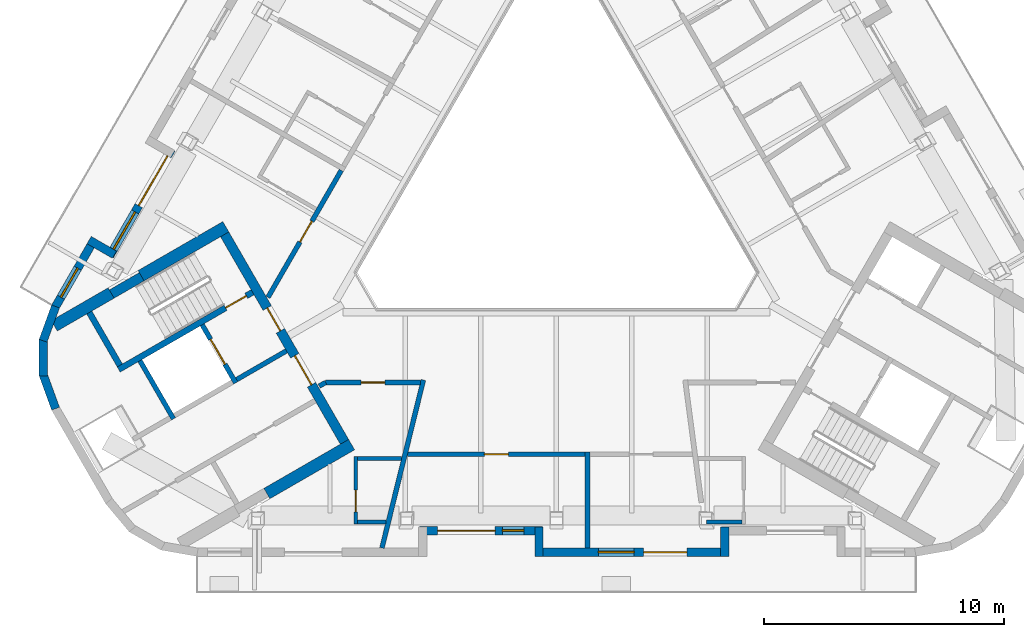
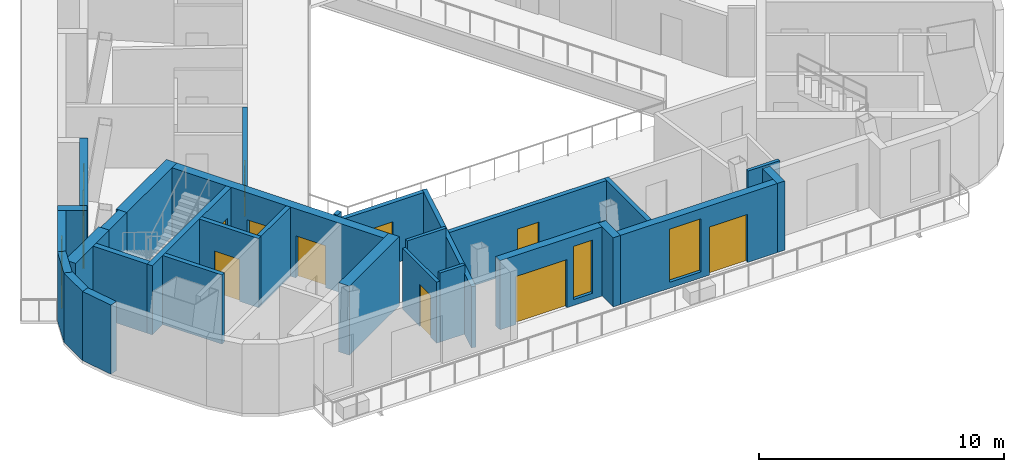
# One storey, part 3 of 11: 30 walls, 11 doors, 4 windows, 15 openings.
"""IFC4 building model written with IfcOpenShell, lengths in metres."""

from ifc_helpers import new_model, si_unit, direction, frame, frame_2d, origin, place, context, subcontext, project, spatial, rectangle, extrude, material, layer, layer_set, type_object, element, fill, save


model = new_model("IFC4")

# Units and contexts
model_context = context("Model", 3, precision=1e-05, world=origin(), true_north=direction((0.0, 1.0)))
body_context = subcontext(model_context, "Body", "Model", "MODEL_VIEW")
ifc_project = project(units=[si_unit("LENGTHUNIT", "METRE"), si_unit("AREAUNIT", "SQUARE_METRE"), si_unit("VOLUMEUNIT", "CUBIC_METRE"), si_unit("PLANEANGLEUNIT", "RADIAN"), si_unit("MASSUNIT", "GRAM", prefix="KILO")], contexts=[model_context])

# Site, building, storey
site_placement = place(None, origin())
site = spatial("IfcSite", under=ifc_project, at=site_placement, CompositionType="ELEMENT")
building_placement = place(site_placement, origin())
building = spatial("IfcBuilding", under=site, at=building_placement, Name="Apuvela Tower Hotel", CompositionType="ELEMENT")
storey_placement = place(building_placement, frame((0.0, 0.0, 328.10009765625)))
storey = spatial("IfcBuildingStorey", under=building, at=storey_placement, Name="L82", CompositionType="ELEMENT", Elevation=328.10009765625)

# Wall
ifc_material_1 = material(Name="Concrete C50/60", Category="concrete")
ifc_layer_1 = layer(ifc_material_1, 0.39990234375)
ifc_layer_set_1 = layer_set([ifc_layer_1], Name="COR-WALL-CORE-400")
wall_type_1 = type_object("IfcWallType", Name="COR-WALL-CORE-400", PredefinedType="SHEAR", material=ifc_layer_set_1)
wall_1_placement = place(storey_placement, frame((-17.30908203125, -3.989013671875, 0.0), z_axis=(0.0, 0.0, 1.0), x_axis=(-0.866092727722, -0.499883373386, 0.0)))
element("IfcWall", 1, at=wall_1_placement, inside=storey, type_object=wall_type_1, Name="Core wall SW", PredefinedType="SHEAR", context=body_context, shape_type="SweptSolid", body=[
    extrude(rectangle(XDim=1.444580078125, YDim=0.39990234375, at=frame_2d((0.72216796875, 0.0))), origin(), (0.0, 0.0, 1.0), 3.449951171875),
])

# Wall, openings, doors
wall_2_placement = place(storey_placement, frame((-13.844970703125, -2.219970703125, 0.0), z_axis=(0.0, 0.0, 1.0), x_axis=(0.500004234368, -0.866022959057, 0.0)))
wall_2 = element("IfcWall", 2, at=wall_2_placement, inside=storey, type_object=wall_type_1, Name="Core wall SW", PredefinedType="SHEAR", context=body_context, shape_type="SweptSolid", body=[
    extrude(rectangle(XDim=10.0, YDim=0.39990234375, at=frame_2d((5.0, 0.0))), origin(), (0.0, 0.0, 1.0), 3.449951171875),
])
opening_1_placement = place(wall_2_placement, frame((3.550048828125, 0.0, 0.0)))
opening_1 = element("IfcOpeningElement", 3, at=opening_1_placement, cuts=wall_2, Name="Opening W-FD", PredefinedType="OPENING", context=body_context, shape_type="SweptSolid", body=[
    extrude(rectangle(XDim=1.10009765625, YDim=2.10009765625, at=frame_2d((0.550048828125, 1.050048828125))), frame((0.0, 0.2099609375, 0.0), z_axis=(0.0, -1.0, 0.0), x_axis=(1.0, 0.0, 0.0)), (0.0, 0.0, 1.0), 0.419921875),
])
opening_2_placement = place(wall_2_placement, frame((5.85009765625, 0.0, 0.0)))
opening_2 = element("IfcOpeningElement", 4, at=opening_2_placement, cuts=wall_2, Name="Opening W-GD", PredefinedType="OPENING", context=body_context, shape_type="SweptSolid", body=[
    extrude(rectangle(XDim=1.39990234375, YDim=2.10009765625, at=frame_2d((0.699951171875, 1.050048828125))), frame((0.0, 0.2099609375, 0.0), z_axis=(0.0, -1.0, 0.0), x_axis=(1.0, 0.0, 0.0)), (0.0, 0.0, 1.0), 0.419921875),
])
ifc_material_2 = material(Name="Steel fire door, powder coated", Category="steel")
door_type_1 = type_object("IfcDoorType", Name="COR-FD-1100", OperationType="NOTDEFINED", PredefinedType="DOOR", material=ifc_material_2)
door_1_placement = place(opening_1_placement, frame((1.10009765625, 0.0, 0.0), z_axis=(0.0, 0.0, 1.0), x_axis=(-1.0, 0.0, 0.0)))
door_1 = element("IfcDoor", 5, at=door_1_placement, inside=storey, type_object=door_type_1, Name="Firefighting lobby door W-FD", OperationType="SINGLE_SWING_LEFT", OverallHeight=2.10009765625, OverallWidth=1.10009765625, PredefinedType="DOOR", context=body_context, shape_type="SweptSolid", body=[
    extrude(rectangle(XDim=1.10009765625, YDim=2.10009765625, at=frame_2d((0.550048828125, 1.050048828125))), frame((0.0, 0.02490234375, 0.0), z_axis=(0.0, -1.0, 0.0), x_axis=(1.0, 0.0, 0.0)), (0.0, 0.0, 1.0), 0.050048828125),
])
fill(opening_1, door_1)
ifc_material_3 = material(Name="Glazed steel fire door", Category="steel")
door_type_2 = type_object("IfcDoorType", Name="COR-GD-1400", OperationType="DOUBLE_DOOR_SINGLE_SWING", PredefinedType="DOOR", material=ifc_material_3)
door_2_placement = place(opening_2_placement, frame((1.39990234375, 0.0, 0.0), z_axis=(0.0, 0.0, 1.0), x_axis=(-1.0, 0.0, 0.0)))
door_2 = element("IfcDoor", 6, at=door_2_placement, inside=storey, type_object=door_type_2, Name="Lift lobby door W-GD", OperationType="DOUBLE_DOOR_SINGLE_SWING", OverallHeight=2.10009765625, OverallWidth=1.39990234375, PredefinedType="DOOR", context=body_context, shape_type="SweptSolid", body=[
    extrude(rectangle(XDim=1.39990234375, YDim=2.10009765625, at=frame_2d((0.699951171875, 1.050048828125))), frame((0.0, 0.02490234375, 0.0), z_axis=(0.0, -1.0, 0.0), x_axis=(1.0, 0.0, 0.0)), (0.0, 0.0, 1.0), 0.050048828125),
])
fill(opening_2, door_2)

# Walls
ifc_layer_2 = layer(ifc_material_1, 0.5)
ifc_layer_set_2 = layer_set([ifc_layer_2], Name="COR-WALL-CORE-500")
wall_type_2 = type_object("IfcWallType", Name="COR-WALL-CORE-500", PredefinedType="SHEAR", material=ifc_layer_set_2)
wall_3_placement = place(storey_placement, frame((-13.796630859375, -1.9033203125, 0.0), z_axis=(0.0, 0.0, 1.0), x_axis=(-0.866020367552, -0.500008722908, 0.0)))
element("IfcWall", 7, at=wall_3_placement, inside=storey, type_object=wall_type_2, Name="Core wall SW", PredefinedType="SHEAR", context=body_context, shape_type="SweptSolid", body=[
    extrude(rectangle(XDim=4.0849609375, YDim=0.5, at=frame_2d((2.04248046875, 0.0))), origin(), (0.0, 0.0, 1.0), 3.449951171875),
])
wall_4_placement = place(storey_placement, frame((-18.585205078125, -4.66796875, 0.0), z_axis=(0.0, 0.0, 1.0), x_axis=(-0.866034122891, -0.49998489776, 0.0)))
element("IfcWall", 8, at=wall_4_placement, inside=storey, type_object=wall_type_2, Name="Core wall SW", PredefinedType="SHEAR", context=body_context, shape_type="SweptSolid", body=[
    extrude(rectangle(XDim=2.73779296875, YDim=0.5, at=frame_2d((1.368896484375, 0.0))), origin(), (0.0, 0.0, 1.0), 3.449951171875),
])
wall_5_placement = place(storey_placement, frame((-8.546630859375, -10.99658203125, 0.0), z_axis=(0.0, 0.0, 1.0), x_axis=(-0.866031306094, -0.49998977676, 0.0)))
element("IfcWall", 9, at=wall_5_placement, inside=storey, type_object=wall_type_2, Name="Core wall SW", PredefinedType="SHEAR", context=body_context, shape_type="SweptSolid", body=[
    extrude(rectangle(XDim=4.08447265625, YDim=0.5, at=frame_2d((2.042236328125, 0.0))), origin(), (0.0, 0.0, 1.0), 3.449951171875),
])
ifc_layer_3 = layer(ifc_material_1, 0.199951171875)
ifc_layer_set_3 = layer_set([ifc_layer_3], Name="COR-WALL-SHAFT-200")
wall_type_3 = type_object("IfcWallType", Name="COR-WALL-SHAFT-200", PredefinedType="SHEAR", material=ifc_layer_set_3)
wall_6_placement = place(storey_placement, frame((-17.38134765625, -7.49462890625, 0.0), z_axis=(0.0, 0.0, 1.0), x_axis=(0.500011755427, -0.866018616679, 0.0)))
element("IfcWall", 10, at=wall_6_placement, inside=storey, type_object=wall_type_3, Name="Shaft wall SW", PredefinedType="SHEAR", context=body_context, shape_type="SweptSolid", body=[
    extrude(rectangle(XDim=2.80029296875, YDim=0.199951171875, at=frame_2d((1.400146484375, 0.0))), origin(), (0.0, 0.0, 1.0), 3.449951171875),
])

# Wall, opening, door
wall_7_placement = place(storey_placement, frame((-14.783203125, -5.99462890625, 0.0), z_axis=(0.0, 0.0, 1.0), x_axis=(0.49994636267, -0.866056369097, 0.0)))
wall_7 = element("IfcWall", 11, at=wall_7_placement, inside=storey, type_object=wall_type_3, Name="Shaft wall SW", PredefinedType="SHEAR", context=body_context, shape_type="SweptSolid", body=[
    extrude(rectangle(XDim=2.800048828125, YDim=0.199951171875, at=frame_2d((1.39990234375, 0.0))), origin(), (0.0, 0.0, 1.0), 3.449951171875),
])
opening_3_placement = place(wall_7_placement, frame((0.699951171875, 0.0, 0.0)))
opening_3 = element("IfcOpeningElement", 12, at=opening_3_placement, cuts=wall_7, Name="Opening W-LD-FS2", PredefinedType="OPENING", context=body_context, shape_type="SweptSolid", body=[
    extrude(rectangle(XDim=1.199951171875, YDim=2.10009765625, at=frame_2d((0.60009765625, 1.050048828125))), frame((0.0, 0.10986328125, 0.0), z_axis=(0.0, -1.0, 0.0), x_axis=(1.0, 0.0, 0.0)), (0.0, 0.0, 1.0), 0.219970703125),
])
ifc_material_4 = material(Name="Stainless steel lift landing door", Category="steel")
door_type_3 = type_object("IfcDoorType", Name="COR-LD-1200", OperationType="DOUBLE_DOOR_SLIDING", PredefinedType="DOOR", material=ifc_material_4)
door_3_placement = place(opening_3_placement, origin())
door_3 = element("IfcDoor", 13, at=door_3_placement, inside=storey, type_object=door_type_3, Name="Lift landing door W-LD-FS2", OperationType="DOUBLE_DOOR_SLIDING", OverallHeight=2.10009765625, OverallWidth=1.199951171875, PredefinedType="DOOR", context=body_context, shape_type="SweptSolid", body=[
    extrude(rectangle(XDim=1.199951171875, YDim=2.10009765625, at=frame_2d((0.60009765625, 1.050048828125))), frame((0.0, 0.02490234375, 0.0), z_axis=(0.0, -1.0, 0.0), x_axis=(1.0, 0.0, 0.0)), (0.0, 0.0, 1.0), 0.050048828125),
])
fill(opening_3, door_3)

# Wall
wall_8_placement = place(storey_placement, frame((-11.26806640625, -7.0830078125, 0.0), z_axis=(0.0, 0.0, 1.0), x_axis=(-0.866050077142, -0.499957262057, 0.0)))
element("IfcWall", 14, at=wall_8_placement, inside=storey, type_object=wall_type_3, Name="Shaft wall SW", PredefinedType="SHEAR", context=body_context, shape_type="SweptSolid", body=[
    extrude(rectangle(XDim=2.400146484375, YDim=0.199951171875, at=frame_2d((1.2001953125, 0.0))), origin(), (0.0, 0.0, 1.0), 3.449951171875),
])

# Wall, opening, door
ifc_layer_4 = layer(ifc_material_1, 0.25)
ifc_layer_set_4 = layer_set([ifc_layer_4], Name="COR-WALL-STAIR-250")
wall_type_4 = type_object("IfcWallType", Name="COR-WALL-STAIR-250", PredefinedType="SHEAR", material=ifc_layer_set_4)
wall_9_placement = place(storey_placement, frame((-12.6806640625, -4.636474609375, 0.0), z_axis=(0.0, 0.0, 1.0), x_axis=(-0.866021702275, -0.500006411147, 0.0)))
wall_9 = element("IfcWall", 15, at=wall_9_placement, inside=storey, type_object=wall_type_4, Name="Stair wall SW", PredefinedType="SHEAR", context=body_context, shape_type="SweptSolid", body=[
    extrude(rectangle(XDim=6.4501953125, YDim=0.25, at=frame_2d((3.22509765625, 0.0))), origin(), (0.0, 0.0, 1.0), 3.449951171875),
])
opening_4_placement = place(wall_9_placement, frame((0.300048828125, 0.0, 0.0)))
opening_4 = element("IfcOpeningElement", 16, at=opening_4_placement, cuts=wall_9, Name="Opening W-SD", PredefinedType="OPENING", context=body_context, shape_type="SweptSolid", body=[
    extrude(rectangle(XDim=1.0, YDim=2.10009765625, at=frame_2d((0.5, 1.050048828125))), frame((0.0, 0.135009765625, 0.0), z_axis=(0.0, -1.0, 0.0), x_axis=(1.0, 0.0, 0.0)), (0.0, 0.0, 1.0), 0.27001953125),
])
door_type_4 = type_object("IfcDoorType", Name="COR-SD-1000", OperationType="NOTDEFINED", PredefinedType="DOOR", material=ifc_material_2)
door_4_placement = place(opening_4_placement, frame((1.0, 0.0, 0.0), z_axis=(0.0, 0.0, 1.0), x_axis=(-1.0, 0.0, 0.0)))
door_4 = element("IfcDoor", 17, at=door_4_placement, inside=storey, type_object=door_type_4, Name="Stair door W-SD", OperationType="SINGLE_SWING_LEFT", OverallHeight=2.10009765625, OverallWidth=1.0, PredefinedType="DOOR", context=body_context, shape_type="SweptSolid", body=[
    extrude(rectangle(XDim=1.0, YDim=2.10009765625, at=frame_2d((0.5, 1.050048828125))), frame((0.0, 0.02490234375, 0.0), z_axis=(0.0, -1.0, 0.0), x_axis=(1.0, 0.0, 0.0)), (0.0, 0.0, 1.0), 0.050048828125),
])
fill(opening_4, door_4)

# Wall
wall_10_placement = place(storey_placement, frame((-19.49560546875, -5.482421875, 0.0), z_axis=(0.0, 0.0, 1.0), x_axis=(0.499990435942, -0.866030925526, 0.0)))
element("IfcWall", 18, at=wall_10_placement, inside=storey, type_object=wall_type_4, Name="Stair wall SW", PredefinedType="SHEAR", context=body_context, shape_type="SweptSolid", body=[
    extrude(rectangle(XDim=2.5498046875, YDim=0.25, at=frame_2d((1.27490234375, 0.0))), origin(), (0.0, 0.0, 1.0), 3.449951171875),
])

# Wall, openings, door, window
ifc_material_5 = material(Name="Concrete C40/50, dark pigmented precast panel", Category="concrete")
ifc_layer_5 = layer(ifc_material_5, 0.35009765625)
ifc_layer_set_5 = layer_set([ifc_layer_5], Name="ENV-WALL-350")
wall_type_5 = type_object("IfcWallType", Name="ENV-WALL-350", PredefinedType="SOLIDWALL", material=ifc_layer_set_5)
wall_11_placement = place(storey_placement, frame((-16.072509765625, 1.33251953125, 0.0), z_axis=(0.0, 0.0, 1.0), x_axis=(-0.499999159329, -0.866025889145, 0.0)))
wall_11 = element("IfcWall", 19, at=wall_11_placement, inside=storey, type_object=wall_type_5, Name="External wall L82-07", PredefinedType="SOLIDWALL", context=body_context, shape_type="SweptSolid", body=[
    extrude(rectangle(XDim=5.142578125, YDim=0.35009765625, at=frame_2d((2.5712890625, 0.0))), origin(), (0.0, 0.0, 1.0), 3.449951171875),
])
opening_5_placement = place(wall_11_placement, frame((0.3203125, 0.0, 0.0)))
opening_5 = element("IfcOpeningElement", 20, at=opening_5_placement, cuts=wall_11, Name="Opening BD24", PredefinedType="OPENING", context=body_context, shape_type="SweptSolid", body=[
    extrude(rectangle(XDim=2.39990234375, YDim=2.39990234375, at=frame_2d((1.199951171875, 1.199951171875))), frame((0.0, 0.18505859375, 0.0), z_axis=(0.0, -1.0, 0.0), x_axis=(1.0, 0.0, 0.0)), (0.0, 0.0, 1.0), 0.3701171875),
])
opening_6_placement = place(wall_11_placement, frame((3.020263671875, 0.0, 0.300048828125)))
opening_6 = element("IfcOpeningElement", 21, at=opening_6_placement, cuts=wall_11, Name="Opening WN18", PredefinedType="OPENING", context=body_context, shape_type="SweptSolid", body=[
    extrude(rectangle(XDim=1.800048828125, YDim=2.64990234375, at=frame_2d((0.89990234375, 1.324951171875))), frame((0.0, 0.18505859375, 0.0), z_axis=(0.0, -1.0, 0.0), x_axis=(1.0, 0.0, 0.0)), (0.0, 0.0, 1.0), 0.3701171875),
])
ifc_material_6 = material(Name="Aluminium 6063-T6, dark bronze anodised frame with dark tinted laminated glass", Category="aluminium")
door_type_5 = type_object("IfcDoorType", Name="ENV-DOOR-BALCONY-2400x2400", OperationType="SLIDING_TO_LEFT", PredefinedType="DOOR", material=ifc_material_6)
door_5_placement = place(opening_5_placement, frame((2.39990234375, 0.0, 0.0), z_axis=(0.0, 0.0, 1.0), x_axis=(-1.0, 0.0, 0.0)))
door_5 = element("IfcDoor", 22, at=door_5_placement, inside=storey, type_object=door_type_5, Name="Balcony door BD24", OperationType="SLIDING_TO_LEFT", OverallHeight=2.39990234375, OverallWidth=2.39990234375, PredefinedType="DOOR", context=body_context, shape_type="SweptSolid", body=[
    extrude(rectangle(XDim=2.39990234375, YDim=2.39990234375, at=frame_2d((1.199951171875, 1.199951171875))), frame((0.0, 0.02490234375, 0.0), z_axis=(0.0, -1.0, 0.0), x_axis=(1.0, 0.0, 0.0)), (0.0, 0.0, 1.0), 0.050048828125),
])
fill(opening_5, door_5)
ifc_material_7 = material(Name="Glass, dark tinted laminated insulated glazing unit", Category="glass")
window_type_1 = type_object("IfcWindowType", Name="ENV-WIN-1800x2650", PartitioningType="SINGLE_PANEL", PredefinedType="WINDOW", material=ifc_material_7)
window_1_placement = place(opening_6_placement, origin())
window_1 = element("IfcWindow", 23, at=window_1_placement, inside=storey, type_object=window_type_1, Name="Window WN18", OverallHeight=2.64990234375, OverallWidth=1.800048828125, PartitioningType="SINGLE_PANEL", PredefinedType="WINDOW", context=body_context, shape_type="SweptSolid", body=[
    extrude(rectangle(XDim=1.800048828125, YDim=2.64990234375, at=frame_2d((0.89990234375, 1.324951171875))), frame((0.0, 0.030029296875, 0.0), z_axis=(0.0, -1.0, 0.0), x_axis=(1.0, 0.0, 0.0)), (0.0, 0.0, 1.0), 0.06005859375),
])
fill(opening_6, window_1)

# Wall
wall_12_placement = place(storey_placement, frame((-18.445556640625, -3.068115234375, 0.0), z_axis=(0.0, 0.0, 1.0), x_axis=(-0.866005645448, 0.500034220881, 0.0)))
element("IfcWall", 24, at=wall_12_placement, inside=storey, type_object=wall_type_5, Name="External wall L82-08", PredefinedType="SOLIDWALL", context=body_context, shape_type="SweptSolid", body=[
    extrude(rectangle(XDim=1.22021484375, YDim=0.35009765625, at=frame_2d((0.610107421875, 0.0))), origin(), (0.0, 0.0, 1.0), 3.449951171875),
])

# Wall, opening, window
wall_13_placement = place(storey_placement, frame((-19.26318359375, -2.39404296875, 0.0), z_axis=(0.0, 0.0, 1.0), x_axis=(-0.500022895934, -0.866012184407, 0.0)))
wall_13 = element("IfcWall", 25, at=wall_13_placement, inside=storey, type_object=wall_type_5, Name="External wall L82-09", PredefinedType="SOLIDWALL", context=body_context, shape_type="SweptSolid", body=[
    extrude(rectangle(XDim=3.305908203125, YDim=0.35009765625, at=frame_2d((1.65283203125, 0.0))), origin(), (0.0, 0.0, 1.0), 3.449951171875),
])
opening_7_placement = place(wall_13_placement, frame((1.429931640625, 0.0, 0.300048828125)))
opening_7 = element("IfcOpeningElement", 26, at=opening_7_placement, cuts=wall_13, Name="Opening WN14", PredefinedType="OPENING", context=body_context, shape_type="SweptSolid", body=[
    extrude(rectangle(XDim=1.39990234375, YDim=2.64990234375, at=frame_2d((0.699951171875, 1.324951171875))), frame((0.0, 0.18505859375, 0.0), z_axis=(0.0, -1.0, 0.0), x_axis=(1.0, 0.0, 0.0)), (0.0, 0.0, 1.0), 0.3701171875),
])
window_type_2 = type_object("IfcWindowType", Name="ENV-WIN-1400x2650", PartitioningType="SINGLE_PANEL", PredefinedType="WINDOW", material=ifc_material_7)
window_2_placement = place(opening_7_placement, origin())
window_2 = element("IfcWindow", 27, at=window_2_placement, inside=storey, type_object=window_type_2, Name="Window WN14", OverallHeight=2.64990234375, OverallWidth=1.39990234375, PartitioningType="SINGLE_PANEL", PredefinedType="WINDOW", context=body_context, shape_type="SweptSolid", body=[
    extrude(rectangle(XDim=1.39990234375, YDim=2.64990234375, at=frame_2d((0.699951171875, 1.324951171875))), frame((0.0, 0.030029296875, 0.0), z_axis=(0.0, -1.0, 0.0), x_axis=(1.0, 0.0, 0.0)), (0.0, 0.0, 1.0), 0.06005859375),
])
fill(opening_7, window_2)

# Walls
for number, where, z_axis, x_axis, name in (
    (28, (-20.9033203125, -5.2294921875, 0.0), (0.0, 0.0, 1.0), (-0.342013156287, -0.939695163831, 0.0), "External wall L82-10"),
    (29, (-21.413818359375, -6.6015625, 0.0), (0.0, 0.0, 1.0), (0.0, -1.0, 0.0), "External wall L82-11"),
    (30, (-21.424560546875, -8.0654296875, 0.0), (0.0, 0.0, 1.0), (0.342013156287, -0.939695163831, 0.0), "External wall L82-12"),
):
    element("IfcWall", number, at=place(storey_placement, frame(where, z_axis=z_axis, x_axis=x_axis)), inside=storey, type_object=wall_type_5, Name=name, PredefinedType="SOLIDWALL", context=body_context, shape_type="SweptSolid", body=[
        extrude(rectangle(XDim=1.52392578125, YDim=0.35009765625, at=frame_2d((0.761962890625, 0.0))), origin(), (0.0, 0.0, 1.0), 3.449951171875),
    ])

# Wall, openings, door, window
wall_14_placement = place(storey_placement, frame((-5.722412109375, -14.58544921875, 0.0), z_axis=(0.0, 0.0, 1.0), x_axis=(1.0, 0.0, 0.0)))
wall_14 = element("IfcWall", 31, at=wall_14_placement, inside=storey, type_object=wall_type_5, Name="External wall L82-19", PredefinedType="SOLIDWALL", context=body_context, shape_type="SweptSolid", body=[
    extrude(rectangle(XDim=5.142333984375, YDim=0.35009765625, at=frame_2d((2.5712890625, 0.0))), origin(), (0.0, 0.0, 1.0), 3.449951171875),
])
opening_8_placement = place(wall_14_placement, frame((0.77001953125, 0.0, 0.0)))
opening_8 = element("IfcOpeningElement", 32, at=opening_8_placement, cuts=wall_14, Name="Opening BD24", PredefinedType="OPENING", context=body_context, shape_type="SweptSolid", body=[
    extrude(rectangle(XDim=2.39990234375, YDim=2.39990234375, at=frame_2d((1.199951171875, 1.199951171875))), frame((0.0, 0.18505859375, 0.0), z_axis=(0.0, -1.0, 0.0), x_axis=(1.0, 0.0, 0.0)), (0.0, 0.0, 1.0), 0.3701171875),
])
opening_9_placement = place(wall_14_placement, frame((3.469970703125, 0.0, 0.300048828125)))
opening_9 = element("IfcOpeningElement", 33, at=opening_9_placement, cuts=wall_14, Name="Opening WN09", PredefinedType="OPENING", context=body_context, shape_type="SweptSolid", body=[
    extrude(rectangle(XDim=0.89990234375, YDim=2.64990234375, at=frame_2d((0.449951171875, 1.324951171875))), frame((0.0, 0.18505859375, 0.0), z_axis=(0.0, -1.0, 0.0), x_axis=(1.0, 0.0, 0.0)), (0.0, 0.0, 1.0), 0.3701171875),
])
door_6_placement = place(opening_8_placement, frame((2.39990234375, 0.0, 0.0), z_axis=(0.0, 0.0, 1.0), x_axis=(-1.0, 0.0, 0.0)))
door_6 = element("IfcDoor", 34, at=door_6_placement, inside=storey, type_object=door_type_5, Name="Balcony door BD24", OperationType="SLIDING_TO_LEFT", OverallHeight=2.39990234375, OverallWidth=2.39990234375, PredefinedType="DOOR", context=body_context, shape_type="SweptSolid", body=[
    extrude(rectangle(XDim=2.39990234375, YDim=2.39990234375, at=frame_2d((1.199951171875, 1.199951171875))), frame((0.0, 0.02490234375, 0.0), z_axis=(0.0, -1.0, 0.0), x_axis=(1.0, 0.0, 0.0)), (0.0, 0.0, 1.0), 0.050048828125),
])
fill(opening_8, door_6)
window_type_3 = type_object("IfcWindowType", Name="ENV-WIN-900x2650", PartitioningType="SINGLE_PANEL", PredefinedType="WINDOW", material=ifc_material_7)
window_3_placement = place(opening_9_placement, origin())
window_3 = element("IfcWindow", 35, at=window_3_placement, inside=storey, type_object=window_type_3, Name="Window WN09", OverallHeight=2.64990234375, OverallWidth=0.89990234375, PartitioningType="SINGLE_PANEL", PredefinedType="WINDOW", context=body_context, shape_type="SweptSolid", body=[
    extrude(rectangle(XDim=0.89990234375, YDim=2.64990234375, at=frame_2d((0.449951171875, 1.324951171875))), frame((0.0, 0.030029296875, 0.0), z_axis=(0.0, -1.0, 0.0), x_axis=(1.0, 0.0, 0.0)), (0.0, 0.0, 1.0), 0.06005859375),
])
fill(opening_9, window_3)

# Wall
wall_15_placement = place(storey_placement, frame((-0.72509765625, -14.4404296875, 0.0), z_axis=(0.0, 0.0, 1.0), x_axis=(0.0, -1.0, 0.0)))
element("IfcWall", 36, at=wall_15_placement, inside=storey, type_object=wall_type_5, Name="External wall L82-20", PredefinedType="SOLIDWALL", context=body_context, shape_type="SweptSolid", body=[
    extrude(rectangle(XDim=1.219970703125, YDim=0.35009765625, at=frame_2d((0.60986328125, 0.0))), origin(), (0.0, 0.0, 1.0), 3.449951171875),
])

# Wall, openings, door, window
wall_16_placement = place(storey_placement, frame((-0.89990234375, -15.4853515625, 0.0), z_axis=(0.0, 0.0, 1.0), x_axis=(1.0, 0.0, 0.0)))
wall_16 = element("IfcWall", 37, at=wall_16_placement, inside=storey, type_object=wall_type_5, Name="External wall L82-21", PredefinedType="SOLIDWALL", context=body_context, shape_type="SweptSolid", body=[
    extrude(rectangle(XDim=8.102294921875, YDim=0.35009765625, at=frame_2d((4.05126953125, 0.0))), origin(), (0.0, 0.0, 1.0), 3.449951171875),
])
opening_10_placement = place(wall_16_placement, frame((4.5458984375, 0.0, 0.0)))
opening_10 = element("IfcOpeningElement", 38, at=opening_10_placement, cuts=wall_16, Name="Opening BD18", PredefinedType="OPENING", context=body_context, shape_type="SweptSolid", body=[
    extrude(rectangle(XDim=1.800048828125, YDim=2.39990234375, at=frame_2d((0.89990234375, 1.199951171875))), frame((0.0, 0.18505859375, 0.0), z_axis=(0.0, -1.0, 0.0), x_axis=(1.0, 0.0, 0.0)), (0.0, 0.0, 1.0), 0.3701171875),
])
opening_11_placement = place(wall_16_placement, frame((2.650390625, 0.0, 0.300048828125)))
opening_11 = element("IfcOpeningElement", 39, at=opening_11_placement, cuts=wall_16, Name="Opening WN15", PredefinedType="OPENING", context=body_context, shape_type="SweptSolid", body=[
    extrude(rectangle(XDim=1.5, YDim=2.64990234375, at=frame_2d((0.75, 1.324951171875))), frame((0.0, 0.18505859375, 0.0), z_axis=(0.0, -1.0, 0.0), x_axis=(1.0, 0.0, 0.0)), (0.0, 0.0, 1.0), 0.3701171875),
])
door_type_6 = type_object("IfcDoorType", Name="ENV-DOOR-BALCONY-1800x2400", OperationType="SLIDING_TO_LEFT", PredefinedType="DOOR", material=ifc_material_6)
door_7_placement = place(opening_10_placement, frame((1.800048828125, 0.0, 0.0), z_axis=(0.0, 0.0, 1.0), x_axis=(-1.0, 0.0, 0.0)))
door_7 = element("IfcDoor", 40, at=door_7_placement, inside=storey, type_object=door_type_6, Name="Balcony door BD18", OperationType="SLIDING_TO_LEFT", OverallHeight=2.39990234375, OverallWidth=1.800048828125, PredefinedType="DOOR", context=body_context, shape_type="SweptSolid", body=[
    extrude(rectangle(XDim=1.800048828125, YDim=2.39990234375, at=frame_2d((0.89990234375, 1.199951171875))), frame((0.0, 0.02490234375, 0.0), z_axis=(0.0, -1.0, 0.0), x_axis=(1.0, 0.0, 0.0)), (0.0, 0.0, 1.0), 0.050048828125),
])
fill(opening_10, door_7)
window_type_4 = type_object("IfcWindowType", Name="ENV-WIN-1500x2650", PartitioningType="SINGLE_PANEL", PredefinedType="WINDOW", material=ifc_material_7)
window_4_placement = place(opening_11_placement, origin())
window_4 = element("IfcWindow", 41, at=window_4_placement, inside=storey, type_object=window_type_4, Name="Window WN15", OverallHeight=2.64990234375, OverallWidth=1.5, PartitioningType="SINGLE_PANEL", PredefinedType="WINDOW", context=body_context, shape_type="SweptSolid", body=[
    extrude(rectangle(XDim=1.5, YDim=2.64990234375, at=frame_2d((0.75, 1.324951171875))), frame((0.0, 0.030029296875, 0.0), z_axis=(0.0, -1.0, 0.0), x_axis=(1.0, 0.0, 0.0)), (0.0, 0.0, 1.0), 0.06005859375),
])
fill(opening_11, window_4)

# Walls
wall_17_placement = place(storey_placement, frame((7.02734375, -15.660400390625, 0.0), z_axis=(0.0, 0.0, 1.0), x_axis=(0.0, 1.0, 0.0)))
element("IfcWall", 42, at=wall_17_placement, inside=storey, type_object=wall_type_5, Name="External wall L82-22", PredefinedType="SOLIDWALL", context=body_context, shape_type="SweptSolid", body=[
    extrude(rectangle(XDim=1.219970703125, YDim=0.35009765625, at=frame_2d((0.60986328125, 0.0))), origin(), (0.0, 0.0, 1.0), 3.449951171875),
])
ifc_material_8 = material(Name="Gypsum board partition on twin steel stud", Category="steel")
ifc_layer_6 = layer(ifc_material_8, 0.199951171875)
ifc_layer_set_6 = layer_set([ifc_layer_6], Name="GST-PW1")
wall_type_6 = type_object("IfcWallType", Name="GST-PW1", PredefinedType="PARTITIONING", material=ifc_layer_set_6)
wall_18_placement = place(storey_placement, frame((-7.280029296875, -15.310302734375, 0.0), z_axis=(0.0, 0.0, 1.0), x_axis=(0.239495270955, 0.970897530736, 0.0)))
element("IfcWall", 43, at=wall_18_placement, inside=storey, type_object=wall_type_6, Name="L82 partition 01", PredefinedType="PARTITIONING", context=body_context, shape_type="SweptSolid", body=[
    extrude(rectangle(XDim=7.220458984375, YDim=0.199951171875, at=frame_2d((3.6103515625, 0.0))), origin(), (0.0, 0.0, 1.0), 3.0498046875),
])
wall_19_placement = place(storey_placement, frame((1.300048828125, -15.310302734375, 0.0), z_axis=(0.0, 0.0, 1.0), x_axis=(0.0, 1.0, 0.0)))
element("IfcWall", 44, at=wall_19_placement, inside=storey, type_object=wall_type_6, Name="L82 partition 02", PredefinedType="PARTITIONING", context=body_context, shape_type="SweptSolid", body=[
    extrude(rectangle(XDim=4.01025390625, YDim=0.199951171875, at=frame_2d((2.005126953125, 0.0))), origin(), (0.0, 0.0, 1.0), 3.0498046875),
])

# Wall, opening, door
ifc_material_9 = material(Name="Gypsum board corridor wall on twin steel stud, acoustic", Category="steel")
ifc_layer_7 = layer(ifc_material_9, 0.199951171875)
ifc_layer_set_7 = layer_set([ifc_layer_7], Name="GST-PW2")
wall_type_7 = type_object("IfcWallType", Name="GST-PW2", PredefinedType="PARTITIONING", material=ifc_layer_set_7)
wall_20_placement = place(storey_placement, frame((-5.67822265625, -8.39990234375, 0.0), z_axis=(0.0, 0.0, 1.0), x_axis=(-1.0, 0.0, 0.0)))
wall_20 = element("IfcWall", 45, at=wall_20_placement, inside=storey, type_object=wall_type_7, Name="L82 partition 10", PredefinedType="PARTITIONING", context=body_context, shape_type="SweptSolid", body=[
    extrude(rectangle(XDim=3.950927734375, YDim=0.199951171875, at=frame_2d((1.9755859375, 0.0))), origin(), (0.0, 0.0, 1.0), 3.0498046875),
])
opening_12_placement = place(wall_20_placement, frame((1.4755859375, 0.0, 0.0)))
opening_12 = element("IfcOpeningElement", 46, at=opening_12_placement, cuts=wall_20, Name="Opening GD36-02", PredefinedType="OPENING", context=body_context, shape_type="SweptSolid", body=[
    extrude(rectangle(XDim=1.0, YDim=2.10009765625, at=frame_2d((0.5, 1.050048828125))), frame((0.0, 0.10986328125, 0.0), z_axis=(0.0, -1.0, 0.0), x_axis=(1.0, 0.0, 0.0)), (0.0, 0.0, 1.0), 0.219970703125),
])
ifc_material_10 = material(Name="Timber door leaf in steel frame", Category="steel")
door_type_7 = type_object("IfcDoorType", Name="GST-D1", OperationType="NOTDEFINED", PredefinedType="DOOR", material=ifc_material_10)
door_8_placement = place(opening_12_placement, origin())
door_8 = element("IfcDoor", 47, at=door_8_placement, inside=storey, type_object=door_type_7, Name="Door L82-02", OperationType="SINGLE_SWING_RIGHT", OverallHeight=2.10009765625, OverallWidth=1.0, PredefinedType="DOOR", context=body_context, shape_type="SweptSolid", body=[
    extrude(rectangle(XDim=1.0, YDim=2.10009765625, at=frame_2d((0.5, 1.050048828125))), frame((0.0, 0.02490234375, 0.0), z_axis=(0.0, -1.0, 0.0), x_axis=(1.0, 0.0, 0.0)), (0.0, 0.0, 1.0), 0.050048828125),
])
fill(opening_12, door_8)

# Wall
wall_21_placement = place(storey_placement, frame((-9.629150390625, -8.39990234375, 0.0), z_axis=(0.0, 0.0, 1.0), x_axis=(-0.865963302823, -0.500107546598, 0.0)))
element("IfcWall", 48, at=wall_21_placement, inside=storey, type_object=wall_type_7, Name="L82 partition 11", PredefinedType="PARTITIONING", context=body_context, shape_type="SweptSolid", body=[
    extrude(rectangle(XDim=0.31103515625, YDim=0.199951171875, at=frame_2d((0.155517578125, 0.0))), origin(), (0.0, 0.0, 1.0), 3.449951171875),
])

# Wall, opening, door
wall_22_placement = place(storey_placement, frame((1.199951171875, -11.39990234375, 0.0), z_axis=(0.0, 0.0, 1.0), x_axis=(-1.0, 0.0, 0.0)))
wall_22 = element("IfcWall", 49, at=wall_22_placement, inside=storey, type_object=wall_type_7, Name="L82 partition 15", PredefinedType="PARTITIONING", context=body_context, shape_type="SweptSolid", body=[
    extrude(rectangle(XDim=7.412353515625, YDim=0.199951171875, at=frame_2d((3.7060546875, 0.0))), origin(), (0.0, 0.0, 1.0), 3.0498046875),
])
opening_13_placement = place(wall_22_placement, frame((3.206298828125, 0.0, 0.0)))
opening_13 = element("IfcOpeningElement", 50, at=opening_13_placement, cuts=wall_22, Name="Opening GD36-03", PredefinedType="OPENING", context=body_context, shape_type="SweptSolid", body=[
    extrude(rectangle(XDim=1.0, YDim=2.10009765625, at=frame_2d((0.5, 1.050048828125))), frame((0.0, 0.10986328125, 0.0), z_axis=(0.0, -1.0, 0.0), x_axis=(1.0, 0.0, 0.0)), (0.0, 0.0, 1.0), 0.219970703125),
])
door_9_placement = place(opening_13_placement, origin())
door_9 = element("IfcDoor", 51, at=door_9_placement, inside=storey, type_object=door_type_7, Name="Door L82-03", OperationType="SINGLE_SWING_LEFT", OverallHeight=2.10009765625, OverallWidth=1.0, PredefinedType="DOOR", context=body_context, shape_type="SweptSolid", body=[
    extrude(rectangle(XDim=1.0, YDim=2.10009765625, at=frame_2d((0.5, 1.050048828125))), frame((0.0, 0.02490234375, 0.0), z_axis=(0.0, -1.0, 0.0), x_axis=(1.0, 0.0, 0.0)), (0.0, 0.0, 1.0), 0.050048828125),
])
fill(opening_13, door_9)

wall_23_placement = place(storey_placement, frame((-12.037841796875, -4.85009765625, 0.0), z_axis=(0.0, 0.0, 1.0), x_axis=(0.500001049025, 0.866024798128, 0.0)))
wall_23 = element("IfcWall", 52, at=wall_23_placement, inside=storey, type_object=wall_type_7, Name="L82 partition 44", PredefinedType="PARTITIONING", context=body_context, shape_type="SweptSolid", body=[
    extrude(rectangle(XDim=6.119140625, YDim=0.199951171875, at=frame_2d((3.0595703125, 0.0))), origin(), (0.0, 0.0, 1.0), 3.0498046875),
])
opening_14_placement = place(wall_23_placement, frame((2.669189453125, 0.0, 0.0)))
opening_14 = element("IfcOpeningElement", 53, at=opening_14_placement, cuts=wall_23, Name="Opening GD36-22", PredefinedType="OPENING", context=body_context, shape_type="SweptSolid", body=[
    extrude(rectangle(XDim=1.0, YDim=2.10009765625, at=frame_2d((0.5, 1.050048828125))), frame((0.0, 0.10986328125, 0.0), z_axis=(0.0, -1.0, 0.0), x_axis=(1.0, 0.0, 0.0)), (0.0, 0.0, 1.0), 0.219970703125),
])
door_10_placement = place(opening_14_placement, origin())
door_10 = element("IfcDoor", 54, at=door_10_placement, inside=storey, type_object=door_type_7, Name="Door L82-22", OperationType="SINGLE_SWING_LEFT", OverallHeight=2.10009765625, OverallWidth=1.0, PredefinedType="DOOR", context=body_context, shape_type="SweptSolid", body=[
    extrude(rectangle(XDim=1.0, YDim=2.10009765625, at=frame_2d((0.5, 1.050048828125))), frame((0.0, 0.02490234375, 0.0), z_axis=(0.0, -1.0, 0.0), x_axis=(1.0, 0.0, 0.0)), (0.0, 0.0, 1.0), 0.050048828125),
])
fill(opening_14, door_10)

ifc_material_11 = material(Name="Moisture-resistant gypsum board wet wall on steel stud", Category="steel")
ifc_layer_8 = layer(ifc_material_11, 0.14990234375)
ifc_layer_set_8 = layer_set([ifc_layer_8], Name="GST-PW3")
wall_type_8 = type_object("IfcWallType", Name="GST-PW3", PredefinedType="PARTITIONING", material=ifc_layer_set_8)
wall_24_placement = place(storey_placement, frame((-8.367919921875, -11.5, 0.0), z_axis=(0.0, 0.0, 1.0), x_axis=(0.0, -1.0, 0.0)))
wall_24 = element("IfcWall", 55, at=wall_24_placement, inside=storey, type_object=wall_type_8, Name="L82 partition 12", PredefinedType="PARTITIONING", context=body_context, shape_type="SweptSolid", body=[
    extrude(rectangle(XDim=2.800048828125, YDim=0.14990234375, at=frame_2d((1.39990234375, 0.0))), origin(), (0.0, 0.0, 1.0), 3.0498046875),
])
opening_15_placement = place(wall_24_placement, frame((1.39990234375, 0.0, 0.0)))
opening_15 = element("IfcOpeningElement", 56, at=opening_15_placement, cuts=wall_24, Name="Opening GD36-01", PredefinedType="OPENING", context=body_context, shape_type="SweptSolid", body=[
    extrude(rectangle(XDim=0.89990234375, YDim=2.10009765625, at=frame_2d((0.449951171875, 1.050048828125))), frame((0.0, 0.0849609375, 0.0), z_axis=(0.0, -1.0, 0.0), x_axis=(1.0, 0.0, 0.0)), (0.0, 0.0, 1.0), 0.169921875),
])
door_type_8 = type_object("IfcDoorType", Name="GST-D2", OperationType="NOTDEFINED", PredefinedType="DOOR", material=ifc_material_10)
door_11_placement = place(opening_15_placement, origin())
door_11 = element("IfcDoor", 57, at=door_11_placement, inside=storey, type_object=door_type_8, Name="Door L82-01", OperationType="SINGLE_SWING_RIGHT", OverallHeight=2.10009765625, OverallWidth=0.89990234375, PredefinedType="DOOR", context=body_context, shape_type="SweptSolid", body=[
    extrude(rectangle(XDim=0.89990234375, YDim=2.10009765625, at=frame_2d((0.449951171875, 1.050048828125))), frame((0.0, 0.02490234375, 0.0), z_axis=(0.0, -1.0, 0.0), x_axis=(1.0, 0.0, 0.0)), (0.0, 0.0, 1.0), 0.050048828125),
])
fill(opening_15, door_11)

# Walls
wall_25_placement = place(storey_placement, frame((-8.29296875, -14.22509765625, 0.0), z_axis=(0.0, 0.0, 1.0), x_axis=(1.0, 0.0, 0.0)))
element("IfcWall", 58, at=wall_25_placement, inside=storey, type_object=wall_type_8, Name="L82 partition 13", PredefinedType="PARTITIONING", context=body_context, shape_type="SweptSolid", body=[
    extrude(rectangle(XDim=1.177734375, YDim=0.14990234375, at=frame_2d((0.5888671875, 0.0))), origin(), (0.0, 0.0, 1.0), 3.449951171875),
])
wall_26_placement = place(storey_placement, frame((-8.29296875, -11.574951171875, 0.0), z_axis=(0.0, 0.0, 1.0), x_axis=(1.0, 0.0, 0.0)))
element("IfcWall", 59, at=wall_26_placement, inside=storey, type_object=wall_type_8, Name="L82 partition 14", PredefinedType="PARTITIONING", context=body_context, shape_type="SweptSolid", body=[
    extrude(rectangle(XDim=1.83154296875, YDim=0.14990234375, at=frame_2d((0.915771484375, 0.0))), origin(), (0.0, 0.0, 1.0), 3.449951171875),
])
wall_27_placement = place(storey_placement, frame((6.259521484375, -14.22509765625, 0.0), z_axis=(0.0, 0.0, 1.0), x_axis=(1.0, 0.0, 0.0)))
element("IfcWall", 60, at=wall_27_placement, inside=storey, type_object=wall_type_8, Name="L82 partition 19", PredefinedType="PARTITIONING", context=body_context, shape_type="SweptSolid", body=[
    extrude(rectangle(XDim=1.48876953125, YDim=0.14990234375, at=frame_2d((0.744384765625, 0.0))), origin(), (0.0, 0.0, 1.0), 3.449951171875),
])

save(model, "model.ifc")
